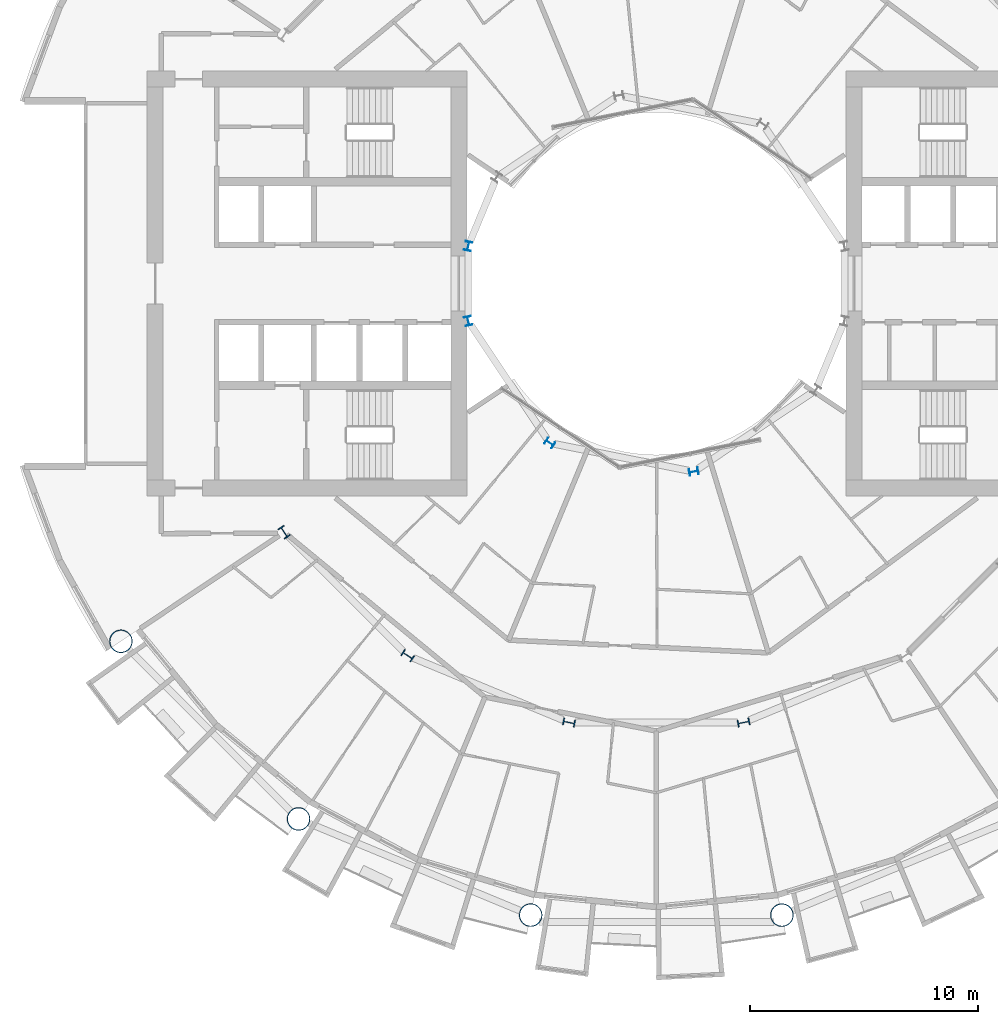
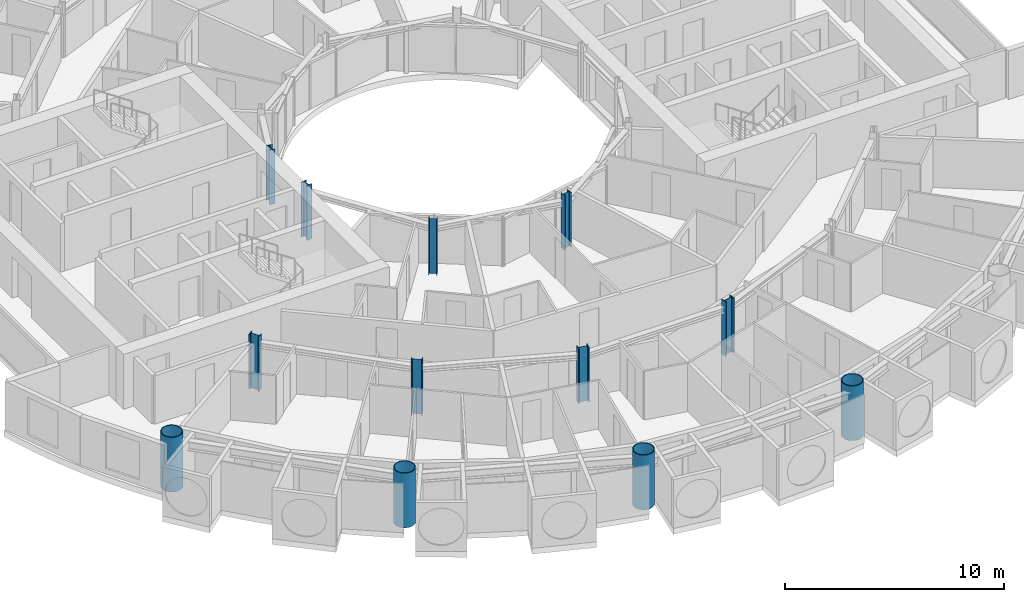
# One storey, part 1 of 26: 12 columns.
"""IFC4 building model written with IfcOpenShell, lengths in metres."""

from ifc_helpers import new_model, si_unit, direction, frame, origin, origin_2d, place, context, subcontext, project, spatial, hollow_circle, i_section, extrude, material, material_profile, profile_set, type_object, element, save


model = new_model("IFC4")

# Units and contexts
model_context = context("Model", 3, precision=1e-05, world=origin(), true_north=direction((0.0, 1.0)))
body_context = subcontext(model_context, "Body", "Model", "MODEL_VIEW")
ifc_project = project(units=[si_unit("LENGTHUNIT", "METRE"), si_unit("AREAUNIT", "SQUARE_METRE"), si_unit("VOLUMEUNIT", "CUBIC_METRE"), si_unit("PLANEANGLEUNIT", "RADIAN"), si_unit("MASSUNIT", "GRAM", prefix="KILO")], contexts=[model_context])

# Site, building, storey
site_placement = place(None, origin())
site = spatial("IfcSite", under=ifc_project, at=site_placement, CompositionType="ELEMENT")
building_placement = place(site_placement, origin())
building = spatial("IfcBuilding", under=site, at=building_placement, Name="Maasbend Ring Residences", CompositionType="ELEMENT")
storey_placement = place(building_placement, frame((0.0, 0.0, 72.75)))
storey = spatial("IfcBuildingStorey", under=building, at=storey_placement, Name="L20", CompositionType="ELEMENT", Elevation=72.75)

# Columns
ifc_material_1 = material(Name="Composite concrete-filled steel tube S460NH / C80/95", Category="concrete")
ifc_material_profile_1 = material_profile(ifc_material_1, hollow_circle(Radius=0.508056640625, WallThickness=0.0400390625, at=origin_2d()), Name="Composite tube column CHS 1016x40")
ifc_profile_set_1 = profile_set([ifc_material_profile_1], Name="Composite concrete-filled steel tube S460NH / C80/95")
column_type_1 = type_object("IfcColumnType", Name="Composite tube column CHS 1016x40", PredefinedType="COLUMN", material=ifc_profile_set_1)
for number, where, z_axis, x_axis, name in (
    (1, (-23.447509765625, -15.6669921875, 0.0), (0.0, 0.0, 1.0), (1.0, 0.0, 0.0), "Outer column R10"),
    (2, (-15.6669921875, -23.447509765625, 0.0), (0.0, 0.0, 1.0), (1.0, 0.0, 0.0), "Outer column R11"),
    (3, (-5.50146484375, -27.658203125, 0.0), (0.0, 0.0, 1.0), (1.0, 0.0, 0.0), "Outer column R12"),
    (4, (5.50146484375, -27.658203125, 0.0), (0.0, 0.0, 1.0), (1.0, 0.0, 0.0), "Outer column R13"),
):
    element("IfcColumn", number, at=place(storey_placement, frame(where, z_axis=z_axis, x_axis=x_axis)), inside=storey, type_object=column_type_1, Name=name, PredefinedType="COLUMN", context=body_context, shape_type="SweptSolid", body=[
        extrude(hollow_circle(Radius=0.508056640625, WallThickness=0.0400390625, at=origin_2d()), origin(), (0.0, 0.0, 1.0), 3.050048828125),
    ])
ifc_material_2 = material(Name="Steel S355J2", Category="steel")
ifc_material_profile_2 = material_profile(ifc_material_2, i_section(OverallWidth=0.300048828125, OverallDepth=0.39990234375, WebThickness=0.013427734375, FlangeThickness=0.02392578125, FilletRadius=0.027099609375, at=origin_2d()), Name="HEB 400")
ifc_profile_set_2 = profile_set([ifc_material_profile_2], Name="Steel S355J2")
column_type_2 = type_object("IfcColumnType", Name="Steel column HEB 400", PredefinedType="COLUMN", material=ifc_profile_set_2)
for number, where, z_axis, x_axis, name in (
    (5, (-8.238525390625, 1.638916015625, 0.0), (0.0, 0.0, 1.0), (-0.980785280403, 0.195090322016, 0.0), "Well ring column R8"),
    (6, (-8.238525390625, -1.638916015625, 0.0), (0.0, 0.0, 1.0), (-0.980785280403, -0.195090322016, 0.0), "Well ring column R9"),
    (7, (-4.666748046875, -6.984375, 0.0), (0.0, 0.0, 1.0), (-0.55557023302, -0.831469612303, 0.0), "Well ring column R11"),
    (8, (1.638916015625, -8.238525390625, 0.0), (0.0, 0.0, 1.0), (0.195090322016, -0.980785280403, 0.0), "Well ring column R13"),
):
    element("IfcColumn", number, at=place(storey_placement, frame(where, z_axis=z_axis, x_axis=x_axis)), inside=storey, type_object=column_type_2, Name=name, PredefinedType="COLUMN", context=body_context, shape_type="SweptSolid", body=[
        extrude(i_section(OverallWidth=0.300048828125, OverallDepth=0.39990234375, WebThickness=0.013427734375, FlangeThickness=0.02392578125, FilletRadius=0.027099609375, at=origin_2d()), origin(), (0.0, 0.0, 1.0), 3.050048828125),
    ])
ifc_material_3 = material(Name="Steel S460M", Category="steel")
ifc_material_profile_3 = material_profile(ifc_material_3, i_section(OverallWidth=0.305908203125, OverallDepth=0.52392578125, WebThickness=0.02099609375, FlangeThickness=0.0400390625, FilletRadius=0.027099609375, at=origin_2d()), Name="HEM 500")
ifc_profile_set_3 = profile_set([ifc_material_profile_3], Name="Steel S460M")
column_type_3 = type_object("IfcColumnType", Name="Steel column HEM 500", PredefinedType="COLUMN", material=ifc_profile_set_3)
for number, where, z_axis, x_axis, name in (
    (9, (-16.296875, -10.88916015625, 0.0), (0.0, 0.0, 1.0), (-0.831469612303, -0.55557023302, 0.0), "Corridor ring column R10"),
    (10, (-10.88916015625, -16.296875, 0.0), (0.0, 0.0, 1.0), (-0.55557023302, -0.831469612303, 0.0), "Corridor ring column R11"),
    (11, (-3.82373046875, -19.223388671875, 0.0), (0.0, 0.0, 1.0), (-0.195090322016, -0.980785280403, 0.0), "Corridor ring column R12"),
    (12, (3.82373046875, -19.223388671875, 0.0), (0.0, 0.0, 1.0), (0.195090322016, -0.980785280403, 0.0), "Corridor ring column R13"),
):
    element("IfcColumn", number, at=place(storey_placement, frame(where, z_axis=z_axis, x_axis=x_axis)), inside=storey, type_object=column_type_3, Name=name, PredefinedType="COLUMN", context=body_context, shape_type="SweptSolid", body=[
        extrude(i_section(OverallWidth=0.305908203125, OverallDepth=0.52392578125, WebThickness=0.02099609375, FlangeThickness=0.0400390625, FilletRadius=0.027099609375, at=origin_2d()), origin(), (0.0, 0.0, 1.0), 3.050048828125),
    ])

save(model, "model.ifc")
